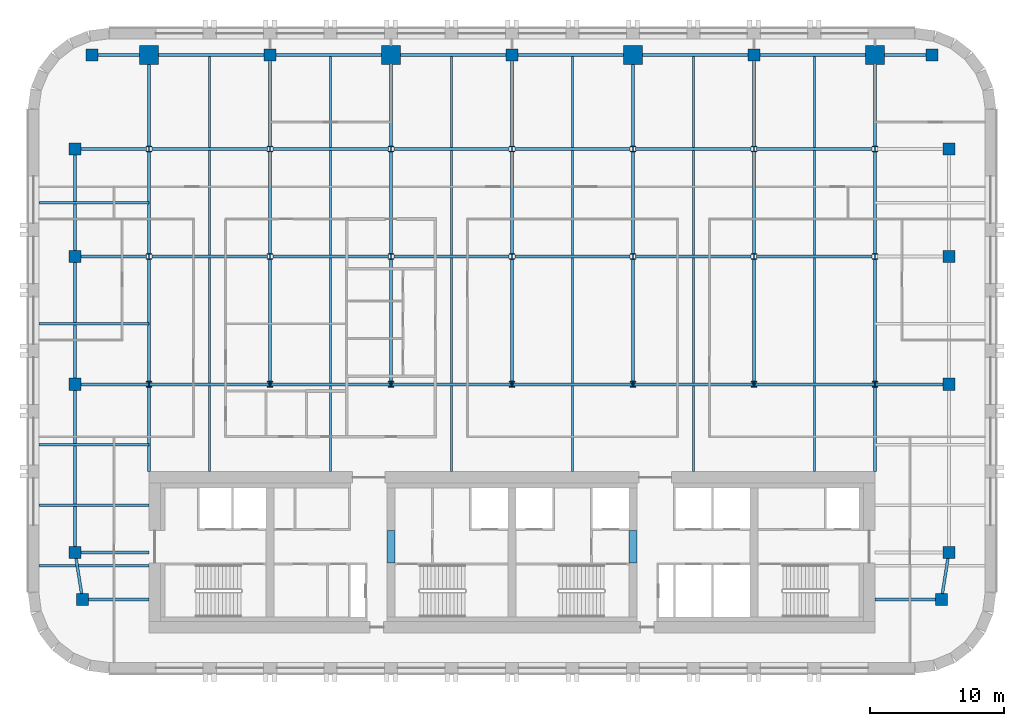
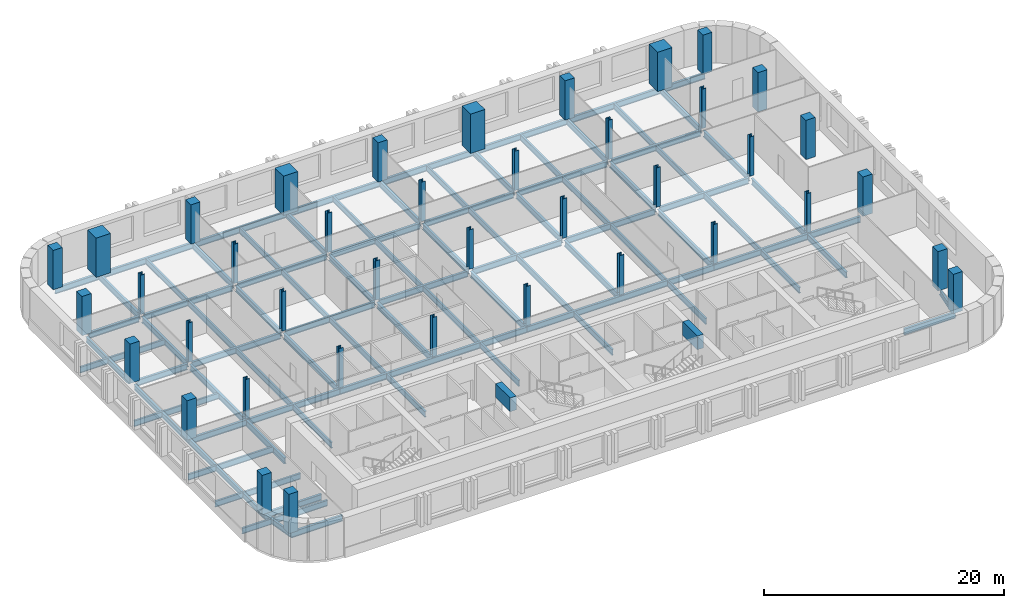
# One storey, part 1 of 10: 64 beams, 40 columns.
"""IFC4 building model written with IfcOpenShell, lengths in metres."""

from ifc_helpers import new_model, si_unit, direction, frame, origin, origin_2d, place, context, subcontext, project, spatial, rectangle, i_section, extrude, material, material_profile, profile_set, type_object, element, save


model = new_model("IFC4")

# Units and contexts
model_context = context("Model", 3, precision=1e-05, world=origin(), true_north=direction((0.0, 1.0)))
body_context = subcontext(model_context, "Body", "Model", "MODEL_VIEW")
ifc_project = project(units=[si_unit("LENGTHUNIT", "METRE"), si_unit("AREAUNIT", "SQUARE_METRE"), si_unit("VOLUMEUNIT", "CUBIC_METRE"), si_unit("PLANEANGLEUNIT", "RADIAN"), si_unit("MASSUNIT", "GRAM", prefix="KILO")], contexts=[model_context])

# Site, building, storey
site_placement = place(None, origin())
site = spatial("IfcSite", under=ifc_project, at=site_placement, CompositionType="ELEMENT")
building_placement = place(site_placement, origin())
building = spatial("IfcBuilding", under=site, at=building_placement, Name="Zellij Exchange Tower", CompositionType="ELEMENT")
storey_placement = place(building_placement, frame((0.0, 0.0, 168.5)))
storey = spatial("IfcBuildingStorey", under=building, at=storey_placement, Name="L38", CompositionType="ELEMENT", Elevation=168.5)

# Columns
ifc_material_1 = material(Name="Concrete C60/75", Category="concrete")
ifc_material_profile_1 = material_profile(ifc_material_1, rectangle(XDim=0.89990234375, YDim=0.89990234375, at=origin_2d()), Name="STR-COLUMN RC900x900 C60/75")
ifc_profile_set_1 = profile_set([ifc_material_profile_1], Name="Concrete C60/75")
column_type_1 = type_object("IfcColumnType", Name="STR-COLUMN RC900x900 C60/75", PredefinedType="COLUMN", material=ifc_profile_set_1)
for number, where, z_axis, x_axis, name in (
    (1, (-31.949951171875, -11.5, 0.0), (0.0, 0.0, 1.0), (1.0, 0.0, 0.0), "C16"),
    (2, (31.949951171875, -11.5, 0.0), (0.0, 0.0, 1.0), (1.0, 0.0, 0.0), "C16"),
    (3, (-32.5, -8.0, 0.0), (0.0, 0.0, 1.0), (1.0, 0.0, 0.0), "C16"),
    (4, (32.5, -8.0, 0.0), (0.0, 0.0, 1.0), (1.0, 0.0, 0.0), "C16"),
    (5, (-32.5, 4.5, 0.0), (0.0, 0.0, 1.0), (1.0, 0.0, 0.0), "C16"),
    (6, (32.5, 4.5, 0.0), (0.0, 0.0, 1.0), (1.0, 0.0, 0.0), "C16"),
    (7, (-32.5, 14.0, 0.0), (0.0, 0.0, 1.0), (1.0, 0.0, 0.0), "C16"),
    (8, (32.5, 14.0, 0.0), (0.0, 0.0, 1.0), (1.0, 0.0, 0.0), "C16"),
    (9, (-32.5, 22.0, 0.0), (0.0, 0.0, 1.0), (1.0, 0.0, 0.0), "C16"),
    (10, (32.5, 22.0, 0.0), (0.0, 0.0, 1.0), (1.0, 0.0, 0.0), "C16"),
    (11, (-31.25, 29.0, 0.0), (0.0, 0.0, 1.0), (1.0, 0.0, 0.0), "C16"),
    (12, (-18.0, 29.0, 0.0), (0.0, 0.0, 1.0), (1.0, 0.0, 0.0), "C16"),
    (13, (0.0, 29.0, 0.0), (0.0, 0.0, 1.0), (1.0, 0.0, 0.0), "C16"),
    (14, (18.0, 29.0, 0.0), (0.0, 0.0, 1.0), (1.0, 0.0, 0.0), "C16"),
    (15, (31.25, 29.0, 0.0), (0.0, 0.0, 1.0), (1.0, 0.0, 0.0), "C16"),
):
    element("IfcColumn", number, at=place(storey_placement, frame(where, z_axis=z_axis, x_axis=x_axis)), inside=storey, type_object=column_type_1, Name=name, PredefinedType="COLUMN", context=body_context, shape_type="SweptSolid", body=[
        extrude(rectangle(XDim=0.89990234375, YDim=0.89990234375, at=origin_2d()), origin(), (0.0, 0.0, 1.0), 4.0),
    ])
ifc_material_2 = material(Name="Structural steel ASTM A913 Gr 65", Category="steel")
ifc_material_profile_2 = material_profile(ifc_material_2, i_section(OverallWidth=0.408935546875, OverallDepth=0.424072265625, WebThickness=0.03271484375, FlangeThickness=0.052490234375, at=origin_2d()), Name="W14x283")
ifc_profile_set_2 = profile_set([ifc_material_profile_2], Name="Structural steel ASTM A913 Gr 65")
column_type_2 = type_object("IfcColumnType", Name="STR-COLUMN W14x283", PredefinedType="COLUMN", material=ifc_profile_set_2)
for number, where, z_axis, x_axis, name in (
    (16, (-27.0, 4.5, 0.0), (0.0, 0.0, 1.0), (1.0, 0.0, 0.0), "C3"),
    (17, (-18.0, 4.5, 0.0), (0.0, 0.0, 1.0), (1.0, 0.0, 0.0), "C3"),
    (18, (-9.0, 4.5, 0.0), (0.0, 0.0, 1.0), (1.0, 0.0, 0.0), "C3"),
    (19, (0.0, 4.5, 0.0), (0.0, 0.0, 1.0), (1.0, 0.0, 0.0), "C3"),
    (20, (9.0, 4.5, 0.0), (0.0, 0.0, 1.0), (1.0, 0.0, 0.0), "C3"),
    (21, (18.0, 4.5, 0.0), (0.0, 0.0, 1.0), (1.0, 0.0, 0.0), "C3"),
    (22, (27.0, 4.5, 0.0), (0.0, 0.0, 1.0), (1.0, 0.0, 0.0), "C3"),
    (23, (-27.0, 14.0, 0.0), (0.0, 0.0, 1.0), (1.0, 0.0, 0.0), "C3"),
    (24, (-18.0, 14.0, 0.0), (0.0, 0.0, 1.0), (1.0, 0.0, 0.0), "C3"),
    (25, (-9.0, 14.0, 0.0), (0.0, 0.0, 1.0), (1.0, 0.0, 0.0), "C3"),
    (26, (0.0, 14.0, 0.0), (0.0, 0.0, 1.0), (1.0, 0.0, 0.0), "C3"),
    (27, (9.0, 14.0, 0.0), (0.0, 0.0, 1.0), (1.0, 0.0, 0.0), "C3"),
    (28, (18.0, 14.0, 0.0), (0.0, 0.0, 1.0), (1.0, 0.0, 0.0), "C3"),
    (29, (27.0, 14.0, 0.0), (0.0, 0.0, 1.0), (1.0, 0.0, 0.0), "C3"),
    (30, (-27.0, 22.0, 0.0), (0.0, 0.0, 1.0), (1.0, 0.0, 0.0), "C3"),
    (31, (-18.0, 22.0, 0.0), (0.0, 0.0, 1.0), (1.0, 0.0, 0.0), "C3"),
    (32, (-9.0, 22.0, 0.0), (0.0, 0.0, 1.0), (1.0, 0.0, 0.0), "C3"),
    (33, (0.0, 22.0, 0.0), (0.0, 0.0, 1.0), (1.0, 0.0, 0.0), "C3"),
    (34, (9.0, 22.0, 0.0), (0.0, 0.0, 1.0), (1.0, 0.0, 0.0), "C3"),
    (35, (18.0, 22.0, 0.0), (0.0, 0.0, 1.0), (1.0, 0.0, 0.0), "C3"),
    (36, (27.0, 22.0, 0.0), (0.0, 0.0, 1.0), (1.0, 0.0, 0.0), "C3"),
):
    element("IfcColumn", number, at=place(storey_placement, frame(where, z_axis=z_axis, x_axis=x_axis)), inside=storey, type_object=column_type_2, Name=name, PredefinedType="COLUMN", context=body_context, shape_type="SweptSolid", body=[
        extrude(i_section(OverallWidth=0.408935546875, OverallDepth=0.424072265625, WebThickness=0.03271484375, FlangeThickness=0.052490234375, at=origin_2d()), origin(), (0.0, 0.0, 1.0), 4.0),
    ])
ifc_material_profile_3 = material_profile(ifc_material_1, rectangle(XDim=1.39990234375, YDim=1.39990234375, at=origin_2d()), Name="STR-MEGA COLUMN RC1400x1400 C60/75")
ifc_profile_set_3 = profile_set([ifc_material_profile_3], Name="Concrete C60/75")
column_type_3 = type_object("IfcColumnType", Name="STR-MEGA COLUMN RC1400x1400 C60/75", PredefinedType="COLUMN", material=ifc_profile_set_3)
for number, where, z_axis, x_axis, name in (
    (37, (-27.0, 29.0, 0.0), (0.0, 0.0, 1.0), (1.0, 0.0, 0.0), "MC3"),
    (38, (-9.0, 29.0, 0.0), (0.0, 0.0, 1.0), (1.0, 0.0, 0.0), "MC3"),
    (39, (9.0, 29.0, 0.0), (0.0, 0.0, 1.0), (1.0, 0.0, 0.0), "MC3"),
    (40, (27.0, 29.0, 0.0), (0.0, 0.0, 1.0), (1.0, 0.0, 0.0), "MC3"),
):
    element("IfcColumn", number, at=place(storey_placement, frame(where, z_axis=z_axis, x_axis=x_axis)), inside=storey, type_object=column_type_3, Name=name, PredefinedType="COLUMN", context=body_context, shape_type="SweptSolid", body=[
        extrude(rectangle(XDim=1.39990234375, YDim=1.39990234375, at=origin_2d()), origin(), (0.0, 0.0, 1.0), 4.0),
    ])

# Beams
ifc_material_profile_4 = material_profile(ifc_material_1, rectangle(XDim=0.60009765625, YDim=1.39990234375, at=origin_2d()), Name="CORE-CB 600x1400 C60/75")
ifc_profile_set_4 = profile_set([ifc_material_profile_4], Name="Concrete C60/75")
beam_type_1 = type_object("IfcBeamType", Name="CORE-CB 600x1400 C60/75", PredefinedType="BEAM", material=ifc_profile_set_4)
for number, where, z_axis, x_axis, name in (
    (41, (-9.0, -8.800048828125, 3.10009765625), (0.0, 1.0, 0.0), (-1.0, 0.0, 0.0), "Core coupling beam x -9 L38"),
    (42, (9.0, -8.800048828125, 3.10009765625), (0.0, 1.0, 0.0), (-1.0, 0.0, 0.0), "Core coupling beam x 9 L38"),
):
    element("IfcBeam", number, at=place(storey_placement, frame(where, z_axis=z_axis, x_axis=x_axis)), inside=storey, type_object=beam_type_1, Name=name, PredefinedType="BEAM", context=body_context, shape_type="SweptSolid", body=[
        extrude(rectangle(XDim=0.60009765625, YDim=1.39990234375, at=origin_2d()), origin(), (0.0, 0.0, 1.0), 2.425048828125),
    ])
ifc_material_3 = material(Name="Structural steel ASTM A992 Gr 50", Category="steel")
ifc_material_profile_5 = material_profile(ifc_material_3, i_section(OverallWidth=0.177978515625, OverallDepth=0.599365234375, WebThickness=0.010009765625, FlangeThickness=0.012939453125, at=origin_2d()), Name="W24x55")
ifc_profile_set_5 = profile_set([ifc_material_profile_5], Name="Structural steel ASTM A992 Gr 50")
beam_type_2 = type_object("IfcBeamType", Name="STR-BEAM W24x55", PredefinedType="BEAM", material=ifc_profile_set_5)
for number, where, z_axis, x_axis, name in (
    (43, (-22.5, -2.0, -0.499755859375), (0.0, 1.0, 0.0), (-1.0, 0.0, 0.0), "B4"),
    (44, (-13.5, -2.0, -0.499755859375), (0.0, 1.0, 0.0), (-1.0, 0.0, 0.0), "B4"),
    (45, (-4.5, -2.0, -0.499755859375), (0.0, 1.0, 0.0), (-1.0, 0.0, 0.0), "B4"),
    (46, (4.5, -2.0, -0.499755859375), (0.0, 1.0, 0.0), (-1.0, 0.0, 0.0), "B4"),
    (47, (13.5, -2.0, -0.499755859375), (0.0, 1.0, 0.0), (-1.0, 0.0, 0.0), "B4"),
    (48, (22.5, -2.0, -0.499755859375), (0.0, 1.0, 0.0), (-1.0, 0.0, 0.0), "B4"),
):
    element("IfcBeam", number, at=place(storey_placement, frame(where, z_axis=z_axis, x_axis=x_axis)), inside=storey, type_object=beam_type_2, Name=name, PredefinedType="BEAM", context=body_context, shape_type="SweptSolid", body=[
        extrude(i_section(OverallWidth=0.177978515625, OverallDepth=0.599365234375, WebThickness=0.010009765625, FlangeThickness=0.012939453125, at=origin_2d()), origin(), (0.0, 0.0, 1.0), 31.1142578125),
    ])
for number, where, z_axis, x_axis, name in (
    (49, (-35.199951171875, -9.0, -0.499755859375), (1.0, 0.0, 0.0), (0.0, 1.0, 0.0), "B4"),
    (50, (-35.199951171875, -4.5, -0.499755859375), (1.0, 0.0, 0.0), (0.0, 1.0, 0.0), "B4"),
    (51, (-35.199951171875, 0.0, -0.499755859375), (1.0, 0.0, 0.0), (0.0, 1.0, 0.0), "B4"),
    (52, (-35.199951171875, 9.0, -0.499755859375), (1.0, 0.0, 0.0), (0.0, 1.0, 0.0), "B4"),
    (53, (-35.199951171875, 18.0, -0.499755859375), (1.0, 0.0, 0.0), (0.0, 1.0, 0.0), "B4"),
):
    element("IfcBeam", number, at=place(storey_placement, frame(where, z_axis=z_axis, x_axis=x_axis)), inside=storey, type_object=beam_type_2, Name=name, PredefinedType="BEAM", context=body_context, shape_type="SweptSolid", body=[
        extrude(i_section(OverallWidth=0.177978515625, OverallDepth=0.599365234375, WebThickness=0.010009765625, FlangeThickness=0.012939453125, at=origin_2d()), origin(), (0.0, 0.0, 1.0), 8.199951171875),
    ])
ifc_material_profile_6 = material_profile(ifc_material_3, i_section(OverallWidth=0.209228515625, OverallDepth=0.533447265625, WebThickness=0.01025390625, FlangeThickness=0.015625, at=origin_2d()), Name="W21x62")
ifc_profile_set_6 = profile_set([ifc_material_profile_6], Name="Structural steel ASTM A992 Gr 50")
beam_type_3 = type_object("IfcBeamType", Name="STR-EDGE GIRDER W21x62", PredefinedType="BEAM", material=ifc_profile_set_6)
beam_1_placement = place(storey_placement, frame((-31.949951171875, -11.5, -0.466796875), z_axis=(-0.155251283593, 0.987875011802, 0.0), x_axis=(-0.987875011802, -0.155251283593, 0.0)))
element("IfcBeam", 54, at=beam_1_placement, inside=storey, type_object=beam_type_3, Name="EB3", PredefinedType="BEAM", context=body_context, shape_type="SweptSolid", body=[
    extrude(i_section(OverallWidth=0.209228515625, OverallDepth=0.533447265625, WebThickness=0.01025390625, FlangeThickness=0.015625, at=origin_2d()), origin(), (0.0, 0.0, 1.0), 3.54296875),
])
beam_2_placement = place(storey_placement, frame((-32.5, -8.0, -0.466796875), z_axis=(0.0, 1.0, 0.0), x_axis=(-1.0, 0.0, 0.0)))
element("IfcBeam", 55, at=beam_2_placement, inside=storey, type_object=beam_type_3, Name="EB3", PredefinedType="BEAM", context=body_context, shape_type="SweptSolid", body=[
    extrude(i_section(OverallWidth=0.209228515625, OverallDepth=0.533447265625, WebThickness=0.01025390625, FlangeThickness=0.015625, at=origin_2d()), origin(), (0.0, 0.0, 1.0), 12.5),
])
beam_3_placement = place(storey_placement, frame((-32.5, 4.5, -0.466796875), z_axis=(0.0, 1.0, 0.0), x_axis=(-1.0, 0.0, 0.0)))
element("IfcBeam", 56, at=beam_3_placement, inside=storey, type_object=beam_type_3, Name="EB3", PredefinedType="BEAM", context=body_context, shape_type="SweptSolid", body=[
    extrude(i_section(OverallWidth=0.209228515625, OverallDepth=0.533447265625, WebThickness=0.01025390625, FlangeThickness=0.015625, at=origin_2d()), origin(), (0.0, 0.0, 1.0), 9.050048828125),
])
beam_4_placement = place(storey_placement, frame((-32.5, 14.449951171875, -0.466796875), z_axis=(0.0, 1.0, 0.0), x_axis=(-1.0, 0.0, 0.0)))
element("IfcBeam", 57, at=beam_4_placement, inside=storey, type_object=beam_type_3, Name="EB3", PredefinedType="BEAM", context=body_context, shape_type="SweptSolid", body=[
    extrude(i_section(OverallWidth=0.209228515625, OverallDepth=0.533447265625, WebThickness=0.01025390625, FlangeThickness=0.015625, at=origin_2d()), origin(), (0.0, 0.0, 1.0), 7.10009765625),
])
beam_5_placement = place(storey_placement, frame((31.949951171875, -11.5, -0.466796875), z_axis=(0.155251283593, 0.987875011802, 0.0), x_axis=(-0.987875011802, 0.155251283593, 0.0)))
element("IfcBeam", 58, at=beam_5_placement, inside=storey, type_object=beam_type_3, Name="EB3", PredefinedType="BEAM", context=body_context, shape_type="SweptSolid", body=[
    extrude(i_section(OverallWidth=0.209228515625, OverallDepth=0.533447265625, WebThickness=0.01025390625, FlangeThickness=0.015625, at=origin_2d()), origin(), (0.0, 0.0, 1.0), 3.54296875),
])
ifc_material_profile_7 = material_profile(ifc_material_3, i_section(OverallWidth=0.228271484375, OverallDepth=0.607177734375, WebThickness=0.01123046875, FlangeThickness=0.017333984375, at=origin_2d()), Name="W24x76")
ifc_profile_set_7 = profile_set([ifc_material_profile_7], Name="Structural steel ASTM A992 Gr 50")
beam_type_4 = type_object("IfcBeamType", Name="STR-GIRDER W24x76", PredefinedType="BEAM", material=ifc_profile_set_7)
for number, where, z_axis, x_axis, name in (
    (59, (-31.949951171875, -11.5, -0.50341796875), (1.0, 0.0, 0.0), (0.0, 1.0, 0.0), "G2"),
    (60, (27.0, -11.5, -0.50341796875), (1.0, 0.0, 0.0), (0.0, 1.0, 0.0), "G2"),
):
    element("IfcBeam", number, at=place(storey_placement, frame(where, z_axis=z_axis, x_axis=x_axis)), inside=storey, type_object=beam_type_4, Name=name, PredefinedType="BEAM", context=body_context, shape_type="SweptSolid", body=[
        extrude(i_section(OverallWidth=0.228271484375, OverallDepth=0.607177734375, WebThickness=0.01123046875, FlangeThickness=0.017333984375, at=origin_2d()), origin(), (0.0, 0.0, 1.0), 4.949951171875),
    ])
beam_6_placement = place(storey_placement, frame((-32.5, -8.0, -0.50341796875), z_axis=(1.0, 0.0, 0.0), x_axis=(0.0, 1.0, 0.0)))
element("IfcBeam", 61, at=beam_6_placement, inside=storey, type_object=beam_type_4, Name="G2", PredefinedType="BEAM", context=body_context, shape_type="SweptSolid", body=[
    extrude(i_section(OverallWidth=0.228271484375, OverallDepth=0.607177734375, WebThickness=0.01123046875, FlangeThickness=0.017333984375, at=origin_2d()), origin(), (0.0, 0.0, 1.0), 5.5),
])
beam_7_placement = place(storey_placement, frame((-32.5, 4.5, -0.50341796875), z_axis=(1.0, 0.0, 0.0), x_axis=(0.0, 1.0, 0.0)))
element("IfcBeam", 62, at=beam_7_placement, inside=storey, type_object=beam_type_4, Name="G2", PredefinedType="BEAM", context=body_context, shape_type="SweptSolid", body=[
    extrude(i_section(OverallWidth=0.228271484375, OverallDepth=0.607177734375, WebThickness=0.01123046875, FlangeThickness=0.017333984375, at=origin_2d()), origin(), (0.0, 0.0, 1.0), 14.5),
])
for number, where, z_axis, x_axis, name in (
    (63, (-18.0, 4.5, -0.50341796875), (1.0, 0.0, 0.0), (0.0, 1.0, 0.0), "G2"),
    (64, (0.0, 4.5, -0.50341796875), (1.0, 0.0, 0.0), (0.0, 1.0, 0.0), "G2"),
):
    element("IfcBeam", number, at=place(storey_placement, frame(where, z_axis=z_axis, x_axis=x_axis)), inside=storey, type_object=beam_type_4, Name=name, PredefinedType="BEAM", context=body_context, shape_type="SweptSolid", body=[
        extrude(i_section(OverallWidth=0.228271484375, OverallDepth=0.607177734375, WebThickness=0.01123046875, FlangeThickness=0.017333984375, at=origin_2d()), origin(), (0.0, 0.0, 1.0), 18.0),
    ])
beam_8_placement = place(storey_placement, frame((18.0, 4.5, -0.50341796875), z_axis=(1.0, 0.0, 0.0), x_axis=(0.0, 1.0, 0.0)))
element("IfcBeam", 65, at=beam_8_placement, inside=storey, type_object=beam_type_4, Name="G2", PredefinedType="BEAM", context=body_context, shape_type="SweptSolid", body=[
    extrude(i_section(OverallWidth=0.228271484375, OverallDepth=0.607177734375, WebThickness=0.01123046875, FlangeThickness=0.017333984375, at=origin_2d()), origin(), (0.0, 0.0, 1.0), 14.050048828125),
])
beam_9_placement = place(storey_placement, frame((-32.050048828125, 14.0, -0.50341796875), z_axis=(1.0, 0.0, 0.0), x_axis=(0.0, 1.0, 0.0)))
element("IfcBeam", 66, at=beam_9_placement, inside=storey, type_object=beam_type_4, Name="G2", PredefinedType="BEAM", context=body_context, shape_type="SweptSolid", body=[
    extrude(i_section(OverallWidth=0.228271484375, OverallDepth=0.607177734375, WebThickness=0.01123046875, FlangeThickness=0.017333984375, at=origin_2d()), origin(), (0.0, 0.0, 1.0), 4.845458984375),
])
for number, where, z_axis, x_axis, name in (
    (67, (-26.79541015625, 14.0, -0.50341796875), (1.0, 0.0, 0.0), (0.0, 1.0, 0.0), "G2"),
    (68, (-17.79541015625, 14.0, -0.50341796875), (1.0, 0.0, 0.0), (0.0, 1.0, 0.0), "G2"),
    (69, (-8.79541015625, 14.0, -0.50341796875), (1.0, 0.0, 0.0), (0.0, 1.0, 0.0), "G2"),
    (70, (0.20458984375, 14.0, -0.50341796875), (1.0, 0.0, 0.0), (0.0, 1.0, 0.0), "G2"),
    (71, (9.20458984375, 14.0, -0.50341796875), (1.0, 0.0, 0.0), (0.0, 1.0, 0.0), "G2"),
    (72, (18.20458984375, 14.0, -0.50341796875), (1.0, 0.0, 0.0), (0.0, 1.0, 0.0), "G2"),
):
    element("IfcBeam", number, at=place(storey_placement, frame(where, z_axis=z_axis, x_axis=x_axis)), inside=storey, type_object=beam_type_4, Name=name, PredefinedType="BEAM", context=body_context, shape_type="SweptSolid", body=[
        extrude(i_section(OverallWidth=0.228271484375, OverallDepth=0.607177734375, WebThickness=0.01123046875, FlangeThickness=0.017333984375, at=origin_2d()), origin(), (0.0, 0.0, 1.0), 8.5908203125),
    ])
beam_10_placement = place(storey_placement, frame((-32.050048828125, 22.0, -0.50341796875), z_axis=(1.0, 0.0, 0.0), x_axis=(0.0, 1.0, 0.0)))
element("IfcBeam", 73, at=beam_10_placement, inside=storey, type_object=beam_type_4, Name="G2", PredefinedType="BEAM", context=body_context, shape_type="SweptSolid", body=[
    extrude(i_section(OverallWidth=0.228271484375, OverallDepth=0.607177734375, WebThickness=0.01123046875, FlangeThickness=0.017333984375, at=origin_2d()), origin(), (0.0, 0.0, 1.0), 4.845458984375),
])
for number, where, z_axis, x_axis, name in (
    (74, (-26.79541015625, 22.0, -0.50341796875), (1.0, 0.0, 0.0), (0.0, 1.0, 0.0), "G2"),
    (75, (-17.79541015625, 22.0, -0.50341796875), (1.0, 0.0, 0.0), (0.0, 1.0, 0.0), "G2"),
    (76, (-8.79541015625, 22.0, -0.50341796875), (1.0, 0.0, 0.0), (0.0, 1.0, 0.0), "G2"),
    (77, (0.20458984375, 22.0, -0.50341796875), (1.0, 0.0, 0.0), (0.0, 1.0, 0.0), "G2"),
    (78, (9.20458984375, 22.0, -0.50341796875), (1.0, 0.0, 0.0), (0.0, 1.0, 0.0), "G2"),
    (79, (18.20458984375, 22.0, -0.50341796875), (1.0, 0.0, 0.0), (0.0, 1.0, 0.0), "G2"),
):
    element("IfcBeam", number, at=place(storey_placement, frame(where, z_axis=z_axis, x_axis=x_axis)), inside=storey, type_object=beam_type_4, Name=name, PredefinedType="BEAM", context=body_context, shape_type="SweptSolid", body=[
        extrude(i_section(OverallWidth=0.228271484375, OverallDepth=0.607177734375, WebThickness=0.01123046875, FlangeThickness=0.017333984375, at=origin_2d()), origin(), (0.0, 0.0, 1.0), 8.5908203125),
    ])
beam_11_placement = place(storey_placement, frame((-31.25, 29.0, -0.50341796875), z_axis=(1.0, 0.0, 0.0), x_axis=(0.0, 1.0, 0.0)))
element("IfcBeam", 80, at=beam_11_placement, inside=storey, type_object=beam_type_4, Name="G2", PredefinedType="BEAM", context=body_context, shape_type="SweptSolid", body=[
    extrude(i_section(OverallWidth=0.228271484375, OverallDepth=0.607177734375, WebThickness=0.01123046875, FlangeThickness=0.017333984375, at=origin_2d()), origin(), (0.0, 0.0, 1.0), 13.25),
])
for number, where, z_axis, x_axis, name in (
    (81, (-18.0, 29.0, -0.50341796875), (1.0, 0.0, 0.0), (0.0, 1.0, 0.0), "G2"),
    (82, (0.0, 29.0, -0.50341796875), (1.0, 0.0, 0.0), (0.0, 1.0, 0.0), "G2"),
):
    element("IfcBeam", number, at=place(storey_placement, frame(where, z_axis=z_axis, x_axis=x_axis)), inside=storey, type_object=beam_type_4, Name=name, PredefinedType="BEAM", context=body_context, shape_type="SweptSolid", body=[
        extrude(i_section(OverallWidth=0.228271484375, OverallDepth=0.607177734375, WebThickness=0.01123046875, FlangeThickness=0.017333984375, at=origin_2d()), origin(), (0.0, 0.0, 1.0), 18.0),
    ])
beam_12_placement = place(storey_placement, frame((18.0, 29.0, -0.50341796875), z_axis=(1.0, 0.0, 0.0), x_axis=(0.0, 1.0, 0.0)))
element("IfcBeam", 83, at=beam_12_placement, inside=storey, type_object=beam_type_4, Name="G2", PredefinedType="BEAM", context=body_context, shape_type="SweptSolid", body=[
    extrude(i_section(OverallWidth=0.228271484375, OverallDepth=0.607177734375, WebThickness=0.01123046875, FlangeThickness=0.017333984375, at=origin_2d()), origin(), (0.0, 0.0, 1.0), 13.25),
])
beam_13_placement = place(storey_placement, frame((-27.0, -2.0, -0.50341796875), z_axis=(0.0, 1.0, 0.0), x_axis=(-1.0, 0.0, 0.0)))
element("IfcBeam", 84, at=beam_13_placement, inside=storey, type_object=beam_type_4, Name="G2", PredefinedType="BEAM", context=body_context, shape_type="SweptSolid", body=[
    extrude(i_section(OverallWidth=0.228271484375, OverallDepth=0.607177734375, WebThickness=0.01123046875, FlangeThickness=0.017333984375, at=origin_2d()), origin(), (0.0, 0.0, 1.0), 15.787841796875),
])
beam_14_placement = place(storey_placement, frame((-27.0, 14.212158203125, -0.50341796875), z_axis=(0.0, 1.0, 0.0), x_axis=(-1.0, 0.0, 0.0)))
element("IfcBeam", 85, at=beam_14_placement, inside=storey, type_object=beam_type_4, Name="G2", PredefinedType="BEAM", context=body_context, shape_type="SweptSolid", body=[
    extrude(i_section(OverallWidth=0.228271484375, OverallDepth=0.607177734375, WebThickness=0.01123046875, FlangeThickness=0.017333984375, at=origin_2d()), origin(), (0.0, 0.0, 1.0), 7.57568359375),
])
beam_15_placement = place(storey_placement, frame((-27.0, 22.212158203125, -0.50341796875), z_axis=(0.0, 1.0, 0.0), x_axis=(-1.0, 0.0, 0.0)))
element("IfcBeam", 86, at=beam_15_placement, inside=storey, type_object=beam_type_4, Name="G2", PredefinedType="BEAM", context=body_context, shape_type="SweptSolid", body=[
    extrude(i_section(OverallWidth=0.228271484375, OverallDepth=0.607177734375, WebThickness=0.01123046875, FlangeThickness=0.017333984375, at=origin_2d()), origin(), (0.0, 0.0, 1.0), 6.787841796875),
])
beam_16_placement = place(storey_placement, frame((-18.0, 4.5, -0.50341796875), z_axis=(0.0, 1.0, 0.0), x_axis=(-1.0, 0.0, 0.0)))
element("IfcBeam", 87, at=beam_16_placement, inside=storey, type_object=beam_type_4, Name="G2", PredefinedType="BEAM", context=body_context, shape_type="SweptSolid", body=[
    extrude(i_section(OverallWidth=0.228271484375, OverallDepth=0.607177734375, WebThickness=0.01123046875, FlangeThickness=0.017333984375, at=origin_2d()), origin(), (0.0, 0.0, 1.0), 9.287841796875),
])
beam_17_placement = place(storey_placement, frame((-18.0, 14.212158203125, -0.50341796875), z_axis=(0.0, 1.0, 0.0), x_axis=(-1.0, 0.0, 0.0)))
element("IfcBeam", 88, at=beam_17_placement, inside=storey, type_object=beam_type_4, Name="G2", PredefinedType="BEAM", context=body_context, shape_type="SweptSolid", body=[
    extrude(i_section(OverallWidth=0.228271484375, OverallDepth=0.607177734375, WebThickness=0.01123046875, FlangeThickness=0.017333984375, at=origin_2d()), origin(), (0.0, 0.0, 1.0), 7.57568359375),
])
beam_18_placement = place(storey_placement, frame((-18.0, 22.212158203125, -0.50341796875), z_axis=(0.0, 1.0, 0.0), x_axis=(-1.0, 0.0, 0.0)))
element("IfcBeam", 89, at=beam_18_placement, inside=storey, type_object=beam_type_4, Name="G2", PredefinedType="BEAM", context=body_context, shape_type="SweptSolid", body=[
    extrude(i_section(OverallWidth=0.228271484375, OverallDepth=0.607177734375, WebThickness=0.01123046875, FlangeThickness=0.017333984375, at=origin_2d()), origin(), (0.0, 0.0, 1.0), 6.787841796875),
])
beam_19_placement = place(storey_placement, frame((-9.0, 4.5, -0.50341796875), z_axis=(0.0, 1.0, 0.0), x_axis=(-1.0, 0.0, 0.0)))
element("IfcBeam", 90, at=beam_19_placement, inside=storey, type_object=beam_type_4, Name="G2", PredefinedType="BEAM", context=body_context, shape_type="SweptSolid", body=[
    extrude(i_section(OverallWidth=0.228271484375, OverallDepth=0.607177734375, WebThickness=0.01123046875, FlangeThickness=0.017333984375, at=origin_2d()), origin(), (0.0, 0.0, 1.0), 9.287841796875),
])
beam_20_placement = place(storey_placement, frame((-9.0, 14.212158203125, -0.50341796875), z_axis=(0.0, 1.0, 0.0), x_axis=(-1.0, 0.0, 0.0)))
element("IfcBeam", 91, at=beam_20_placement, inside=storey, type_object=beam_type_4, Name="G2", PredefinedType="BEAM", context=body_context, shape_type="SweptSolid", body=[
    extrude(i_section(OverallWidth=0.228271484375, OverallDepth=0.607177734375, WebThickness=0.01123046875, FlangeThickness=0.017333984375, at=origin_2d()), origin(), (0.0, 0.0, 1.0), 7.57568359375),
])
beam_21_placement = place(storey_placement, frame((-9.0, 22.212158203125, -0.50341796875), z_axis=(0.0, 1.0, 0.0), x_axis=(-1.0, 0.0, 0.0)))
element("IfcBeam", 92, at=beam_21_placement, inside=storey, type_object=beam_type_4, Name="G2", PredefinedType="BEAM", context=body_context, shape_type="SweptSolid", body=[
    extrude(i_section(OverallWidth=0.228271484375, OverallDepth=0.607177734375, WebThickness=0.01123046875, FlangeThickness=0.017333984375, at=origin_2d()), origin(), (0.0, 0.0, 1.0), 6.787841796875),
])
beam_22_placement = place(storey_placement, frame((0.0, 4.5, -0.50341796875), z_axis=(0.0, 1.0, 0.0), x_axis=(-1.0, 0.0, 0.0)))
element("IfcBeam", 93, at=beam_22_placement, inside=storey, type_object=beam_type_4, Name="G2", PredefinedType="BEAM", context=body_context, shape_type="SweptSolid", body=[
    extrude(i_section(OverallWidth=0.228271484375, OverallDepth=0.607177734375, WebThickness=0.01123046875, FlangeThickness=0.017333984375, at=origin_2d()), origin(), (0.0, 0.0, 1.0), 9.287841796875),
])
beam_23_placement = place(storey_placement, frame((0.0, 14.212158203125, -0.50341796875), z_axis=(0.0, 1.0, 0.0), x_axis=(-1.0, 0.0, 0.0)))
element("IfcBeam", 94, at=beam_23_placement, inside=storey, type_object=beam_type_4, Name="G2", PredefinedType="BEAM", context=body_context, shape_type="SweptSolid", body=[
    extrude(i_section(OverallWidth=0.228271484375, OverallDepth=0.607177734375, WebThickness=0.01123046875, FlangeThickness=0.017333984375, at=origin_2d()), origin(), (0.0, 0.0, 1.0), 7.57568359375),
])
beam_24_placement = place(storey_placement, frame((0.0, 22.212158203125, -0.50341796875), z_axis=(0.0, 1.0, 0.0), x_axis=(-1.0, 0.0, 0.0)))
element("IfcBeam", 95, at=beam_24_placement, inside=storey, type_object=beam_type_4, Name="G2", PredefinedType="BEAM", context=body_context, shape_type="SweptSolid", body=[
    extrude(i_section(OverallWidth=0.228271484375, OverallDepth=0.607177734375, WebThickness=0.01123046875, FlangeThickness=0.017333984375, at=origin_2d()), origin(), (0.0, 0.0, 1.0), 6.787841796875),
])
beam_25_placement = place(storey_placement, frame((9.0, 4.5, -0.50341796875), z_axis=(0.0, 1.0, 0.0), x_axis=(-1.0, 0.0, 0.0)))
element("IfcBeam", 96, at=beam_25_placement, inside=storey, type_object=beam_type_4, Name="G2", PredefinedType="BEAM", context=body_context, shape_type="SweptSolid", body=[
    extrude(i_section(OverallWidth=0.228271484375, OverallDepth=0.607177734375, WebThickness=0.01123046875, FlangeThickness=0.017333984375, at=origin_2d()), origin(), (0.0, 0.0, 1.0), 9.287841796875),
])
beam_26_placement = place(storey_placement, frame((9.0, 14.212158203125, -0.50341796875), z_axis=(0.0, 1.0, 0.0), x_axis=(-1.0, 0.0, 0.0)))
element("IfcBeam", 97, at=beam_26_placement, inside=storey, type_object=beam_type_4, Name="G2", PredefinedType="BEAM", context=body_context, shape_type="SweptSolid", body=[
    extrude(i_section(OverallWidth=0.228271484375, OverallDepth=0.607177734375, WebThickness=0.01123046875, FlangeThickness=0.017333984375, at=origin_2d()), origin(), (0.0, 0.0, 1.0), 7.57568359375),
])
beam_27_placement = place(storey_placement, frame((9.0, 22.212158203125, -0.50341796875), z_axis=(0.0, 1.0, 0.0), x_axis=(-1.0, 0.0, 0.0)))
element("IfcBeam", 98, at=beam_27_placement, inside=storey, type_object=beam_type_4, Name="G2", PredefinedType="BEAM", context=body_context, shape_type="SweptSolid", body=[
    extrude(i_section(OverallWidth=0.228271484375, OverallDepth=0.607177734375, WebThickness=0.01123046875, FlangeThickness=0.017333984375, at=origin_2d()), origin(), (0.0, 0.0, 1.0), 6.787841796875),
])
beam_28_placement = place(storey_placement, frame((18.0, 4.5, -0.50341796875), z_axis=(0.0, 1.0, 0.0), x_axis=(-1.0, 0.0, 0.0)))
element("IfcBeam", 99, at=beam_28_placement, inside=storey, type_object=beam_type_4, Name="G2", PredefinedType="BEAM", context=body_context, shape_type="SweptSolid", body=[
    extrude(i_section(OverallWidth=0.228271484375, OverallDepth=0.607177734375, WebThickness=0.01123046875, FlangeThickness=0.017333984375, at=origin_2d()), origin(), (0.0, 0.0, 1.0), 9.287841796875),
])
beam_29_placement = place(storey_placement, frame((18.0, 14.212158203125, -0.50341796875), z_axis=(0.0, 1.0, 0.0), x_axis=(-1.0, 0.0, 0.0)))
element("IfcBeam", 100, at=beam_29_placement, inside=storey, type_object=beam_type_4, Name="G2", PredefinedType="BEAM", context=body_context, shape_type="SweptSolid", body=[
    extrude(i_section(OverallWidth=0.228271484375, OverallDepth=0.607177734375, WebThickness=0.01123046875, FlangeThickness=0.017333984375, at=origin_2d()), origin(), (0.0, 0.0, 1.0), 7.57568359375),
])
beam_30_placement = place(storey_placement, frame((18.0, 22.212158203125, -0.50341796875), z_axis=(0.0, 1.0, 0.0), x_axis=(-1.0, 0.0, 0.0)))
element("IfcBeam", 101, at=beam_30_placement, inside=storey, type_object=beam_type_4, Name="G2", PredefinedType="BEAM", context=body_context, shape_type="SweptSolid", body=[
    extrude(i_section(OverallWidth=0.228271484375, OverallDepth=0.607177734375, WebThickness=0.01123046875, FlangeThickness=0.017333984375, at=origin_2d()), origin(), (0.0, 0.0, 1.0), 6.787841796875),
])
beam_31_placement = place(storey_placement, frame((27.0, -2.0, -0.50341796875), z_axis=(0.0, 1.0, 0.0), x_axis=(-1.0, 0.0, 0.0)))
element("IfcBeam", 102, at=beam_31_placement, inside=storey, type_object=beam_type_4, Name="G2", PredefinedType="BEAM", context=body_context, shape_type="SweptSolid", body=[
    extrude(i_section(OverallWidth=0.228271484375, OverallDepth=0.607177734375, WebThickness=0.01123046875, FlangeThickness=0.017333984375, at=origin_2d()), origin(), (0.0, 0.0, 1.0), 15.787841796875),
])
beam_32_placement = place(storey_placement, frame((27.0, 14.212158203125, -0.50341796875), z_axis=(0.0, 1.0, 0.0), x_axis=(-1.0, 0.0, 0.0)))
element("IfcBeam", 103, at=beam_32_placement, inside=storey, type_object=beam_type_4, Name="G2", PredefinedType="BEAM", context=body_context, shape_type="SweptSolid", body=[
    extrude(i_section(OverallWidth=0.228271484375, OverallDepth=0.607177734375, WebThickness=0.01123046875, FlangeThickness=0.017333984375, at=origin_2d()), origin(), (0.0, 0.0, 1.0), 7.57568359375),
])
beam_33_placement = place(storey_placement, frame((27.0, 22.212158203125, -0.50341796875), z_axis=(0.0, 1.0, 0.0), x_axis=(-1.0, 0.0, 0.0)))
element("IfcBeam", 104, at=beam_33_placement, inside=storey, type_object=beam_type_4, Name="G2", PredefinedType="BEAM", context=body_context, shape_type="SweptSolid", body=[
    extrude(i_section(OverallWidth=0.228271484375, OverallDepth=0.607177734375, WebThickness=0.01123046875, FlangeThickness=0.017333984375, at=origin_2d()), origin(), (0.0, 0.0, 1.0), 6.787841796875),
])

save(model, "model.ifc")
